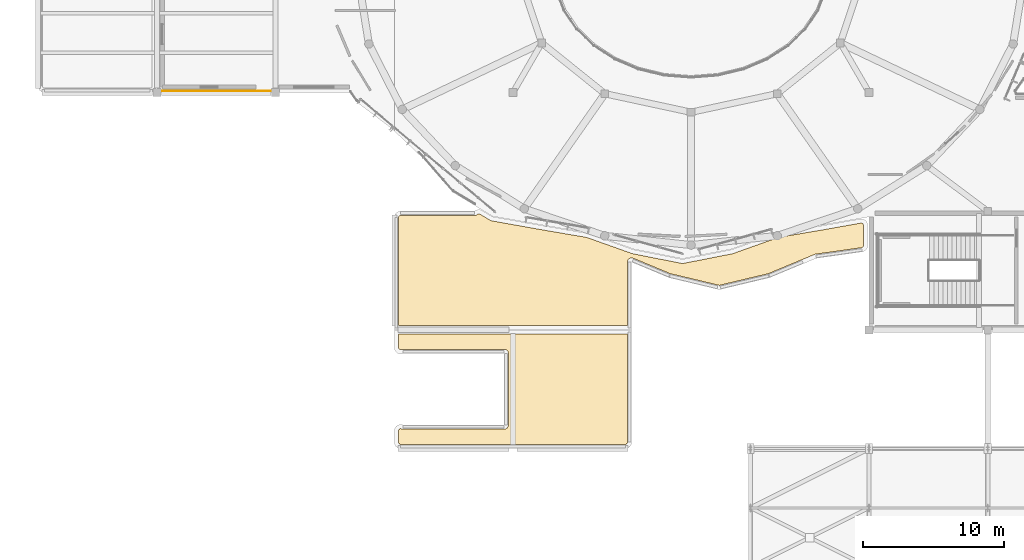
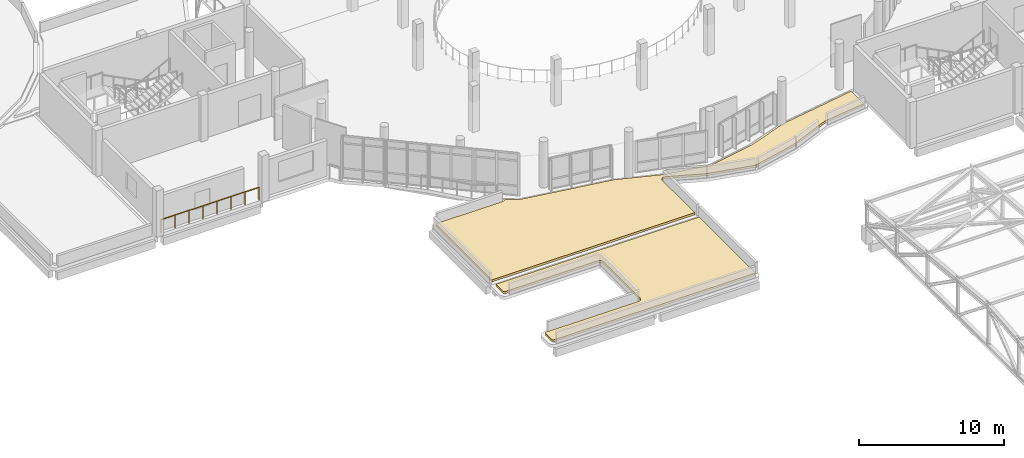
# One storey, part 64 of 74: 2 coverings, 1 railing.
"""IFC4 building model written with IfcOpenShell, lengths in metres."""

from ifc_helpers import new_model, si_unit, derived_unit, direction, frame, origin, origin_2d, place, context, subcontext, project, spatial, polyline, circle, outline, extrude, material, layer, layer_set, type_object, element, save


model = new_model("IFC4")

# Units and contexts
model_context = context("Model", 3, precision=1e-05, world=origin(), true_north=direction((0.0, 1.0)))
body_context = subcontext(model_context, "Body", "Model", "MODEL_VIEW")
ifc_project = project(units=[si_unit("LENGTHUNIT", "METRE"), si_unit("AREAUNIT", "SQUARE_METRE"), si_unit("VOLUMEUNIT", "CUBIC_METRE"), si_unit("PLANEANGLEUNIT", "RADIAN"), si_unit("MASSUNIT", "GRAM", prefix="KILO"), derived_unit("THERMALTRANSMITTANCEUNIT", [(si_unit("POWERUNIT", "WATT"), 1), (si_unit("LENGTHUNIT", "METRE"), -2), (si_unit("THERMODYNAMICTEMPERATUREUNIT", "KELVIN"), -1)])], contexts=[model_context])

# Site, building, storey
site_placement = place(None, origin())
site = spatial("IfcSite", under=ifc_project, at=site_placement, CompositionType="ELEMENT")
building_placement = place(site_placement, origin())
building = spatial("IfcBuilding", under=site, at=building_placement, Name="Elbkamm Science Centre", CompositionType="ELEMENT")
storey_placement = place(building_placement, frame((0.0, 0.0, 14.39990234375)))
storey = spatial("IfcBuildingStorey", under=building, at=storey_placement, Name="L03", CompositionType="ELEMENT", Elevation=14.39990234375)

# Coverings
ifc_material_1 = material(Name="EPDM waterproof roofing membrane and mineral wool insulation")
ifc_layer = layer(ifc_material_1, 0.179931640625)
ifc_layer_set = layer_set([ifc_layer], Name="EPDM waterproof roofing membrane and mineral wool insulation")
covering_type = type_object("IfcCoveringType", Name="COV-ROOFING-180", PredefinedType="ROOFING", material=ifc_layer_set)
covering_1_placement = place(storey_placement, origin())
element("IfcCovering", 1, at=covering_1_placement, inside=storey, type_object=covering_type, Name="L03 Insulated Roof Membrane Covering 13", PredefinedType="ROOFING", context=body_context, shape_type="SweptSolid", body=[
    extrude(outline(polyline([(42.303466796875, 34.88623046875), (42.30712890625, 34.900634765625), (42.3125, 34.914794921875), (42.319091796875, 34.928466796875), (42.326904296875, 34.94140625), (42.336181640625, 34.953369140625), (42.346435546875, 34.96435546875), (42.35791015625, 34.97412109375), (42.3701171875, 34.98291015625), (42.383056640625, 34.989990234375), (42.397216796875, 34.996337890625), (42.411376953125, 35.000732421875), (42.426025390625, 35.00390625), (42.441162109375, 35.005615234375), (42.456298828125, 35.005859375), (42.47119140625, 35.00439453125), (42.48583984375, 35.001708984375), (42.5048828125, 34.995849609375), (42.515380859375, 34.9921875), (42.543212890625, 34.9853515625), (42.571533203125, 34.9814453125), (42.60009765625, 34.97998046875), (49.780029296875, 34.97998046875), (49.809326171875, 34.9814453125), (49.83837890625, 34.98583984375), (49.8671875, 34.992919921875), (49.894775390625, 35.002685546875), (49.92138671875, 35.015380859375), (49.94677734375, 35.030517578125), (49.97021484375, 35.048095703125), (49.9921875, 35.06787109375), (50.011962890625, 35.089599609375), (50.029296875, 35.11328125), (50.044677734375, 35.138671875), (50.05712890625, 35.165283203125), (50.067138671875, 35.19287109375), (50.07421875, 35.221435546875), (50.07861328125, 35.25048828125), (50.080078125, 35.280029296875), (50.080078125, 40.320068359375), (50.07861328125, 40.349365234375), (50.07421875, 40.37841796875), (50.067138671875, 40.406982421875), (50.05712890625, 40.434814453125), (50.044677734375, 40.46142578125), (50.029296875, 40.48681640625), (50.011962890625, 40.51025390625), (49.9921875, 40.531982421875), (49.97021484375, 40.552001953125), (49.94677734375, 40.5693359375), (49.92138671875, 40.584716796875), (49.894775390625, 40.59716796875), (49.8671875, 40.607177734375), (49.83837890625, 40.6142578125), (49.809326171875, 40.61865234375), (49.780029296875, 40.6201171875), (42.60009765625, 40.6201171875), (42.569580078125, 40.618408203125), (42.539794921875, 40.614013671875), (42.51025390625, 40.606201171875), (42.484375, 40.59814453125), (42.47119140625, 40.595703125), (42.456298828125, 40.59423828125), (42.441162109375, 40.594482421875), (42.426025390625, 40.595947265625), (42.411376953125, 40.59912109375), (42.397216796875, 40.603759765625), (42.383056640625, 40.60986328125), (42.3701171875, 40.6171875), (42.35791015625, 40.6259765625), (42.346435546875, 40.6357421875), (42.336181640625, 40.646484375), (42.326904296875, 40.65869140625), (42.319091796875, 40.67138671875), (42.3125, 40.68505859375), (42.30712890625, 40.69921875), (42.303466796875, 40.713623046875), (42.30126953125, 40.728515625), (42.300048828125, 40.751220703125), (42.300048828125, 41.699951171875), (58.5, 41.699951171875), (58.5, 34.0576171875), (58.498779296875, 34.03515625), (58.496826171875, 34.020751953125), (58.493408203125, 34.0068359375), (58.488037109375, 33.99267578125), (58.48193359375, 33.979248046875), (58.474365234375, 33.966796875), (58.4658203125, 33.955078125), (58.455810546875, 33.944091796875), (58.44482421875, 33.93408203125), (58.43310546875, 33.925537109375), (58.420654296875, 33.918212890625), (58.407470703125, 33.911865234375), (58.39306640625, 33.90673828125), (58.379150390625, 33.9033203125), (58.36474609375, 33.901123046875), (58.342529296875, 33.89990234375), (42.45751953125, 33.89990234375), (42.435302734375, 33.901123046875), (42.4208984375, 33.9033203125), (42.406982421875, 33.90673828125), (42.392578125, 33.911865234375), (42.37939453125, 33.918212890625), (42.36669921875, 33.925537109375), (42.35498046875, 33.93408203125), (42.34423828125, 33.944091796875), (42.334228515625, 33.955078125), (42.32568359375, 33.966796875), (42.318115234375, 33.979248046875), (42.31201171875, 33.99267578125), (42.306640625, 34.0068359375), (42.30322265625, 34.020751953125), (42.301025390625, 34.03515625), (42.300048828125, 34.0576171875), (42.300048828125, 34.8486328125), (42.30126953125, 34.871337890625), (42.303466796875, 34.88623046875)])), origin(), (0.0, 0.0, 1.0), 0.18017578125),
])
covering_2_placement = place(storey_placement, origin())
element("IfcCovering", 2, at=covering_2_placement, inside=storey, type_object=covering_type, Name="L03 Insulated Roof Membrane Covering 14", PredefinedType="ROOFING", context=body_context, shape_type="SweptSolid", body=[
    extrude(outline(polyline([(42.300048828125, 49.9423828125), (42.301025390625, 49.96484375), (42.30322265625, 49.979248046875), (42.306640625, 49.9931640625), (42.31201171875, 50.00732421875), (42.318115234375, 50.020751953125), (42.32568359375, 50.033203125), (42.334228515625, 50.044921875), (42.34423828125, 50.055908203125), (42.35498046875, 50.06591796875), (42.36669921875, 50.074462890625), (42.37939453125, 50.081787109375), (42.392578125, 50.088134765625), (42.406982421875, 50.09326171875), (42.4208984375, 50.0966796875), (42.435302734375, 50.098876953125), (42.45751953125, 50.10009765625), (47.6875, 50.10009765625), (47.716796875, 50.101318359375), (47.745849609375, 50.105712890625), (47.7744140625, 50.11279296875), (47.802001953125, 50.122802734375), (47.82861328125, 50.13525390625), (47.853759765625, 50.150390625), (47.87744140625, 50.167724609375), (47.898193359375, 50.184814453125), (47.90869140625, 50.19189453125), (47.92138671875, 50.198486328125), (47.935302734375, 50.2041015625), (47.94921875, 50.2080078125), (47.96337890625, 50.210693359375), (47.977783203125, 50.212158203125), (47.99267578125, 50.2119140625), (48.00732421875, 50.21044921875), (48.021484375, 50.20751953125), (48.03515625, 50.203369140625), (48.048583984375, 50.19775390625), (48.068359375, 50.187255859375), (48.777587890625, 49.76025390625), (48.78076171875, 49.75830078125), (48.794921875, 49.75), (48.797119140625, 49.748779296875), (48.8232421875, 49.736328125), (48.82568359375, 49.735107421875), (48.8544921875, 49.724853515625), (48.857177734375, 49.72412109375), (48.880126953125, 49.7177734375), (48.8828125, 49.71728515625), (48.895263671875, 49.71484375), (48.90087890625, 49.7138671875), (52.320068359375, 49.106201171875), (52.3203125, 49.10595703125), (52.324951171875, 49.105224609375), (55.606689453125, 48.543701171875), (55.6259765625, 48.539794921875), (55.644287109375, 48.533935546875), (58.829345703125, 47.39990234375), (58.8330078125, 47.398681640625), (58.85546875, 47.3916015625), (58.857666015625, 47.39111328125), (58.866943359375, 47.388671875), (58.869140625, 47.38818359375), (58.881103515625, 47.385498046875), (58.885498046875, 47.384521484375), (62.3310546875, 46.707275390625), (62.333251953125, 46.706787109375), (62.338623046875, 46.705810546875), (62.34326171875, 46.705078125), (62.34619140625, 46.70458984375), (62.38671875, 46.7001953125), (62.3896484375, 46.7001953125), (62.410400390625, 46.7001953125), (62.4130859375, 46.7001953125), (62.453857421875, 46.70458984375), (62.456787109375, 46.705078125), (62.4599609375, 46.70556640625), (62.4658203125, 46.70654296875), (62.4697265625, 46.707275390625), (65.9150390625, 47.384765625), (65.9189453125, 47.385498046875), (65.930908203125, 47.38818359375), (65.93310546875, 47.388671875), (65.9423828125, 47.39111328125), (65.944580078125, 47.3916015625), (65.97021484375, 47.39990234375), (65.97265625, 47.400634765625), (67.662841796875, 48.00244140625), (69.155517578125, 48.533935546875), (69.174072265625, 48.539794921875), (69.193359375, 48.543701171875), (72.4736328125, 49.10498046875), (72.4736328125, 49.10498046875), (72.47705078125, 49.10546875), (75.016845703125, 49.556884765625), (75.038330078125, 49.559814453125), (75.052734375, 49.56005859375), (75.0673828125, 49.55908203125), (75.08154296875, 49.556884765625), (75.095458984375, 49.552978515625), (75.109375, 49.5478515625), (75.122314453125, 49.54150390625), (75.134521484375, 49.5341796875), (75.146240234375, 49.525146484375), (75.15673828125, 49.515380859375), (75.16650390625, 49.504638671875), (75.175048828125, 49.49267578125), (75.182373046875, 49.48046875), (75.1884765625, 49.467041015625), (75.193603515625, 49.453125), (75.197021484375, 49.439453125), (75.198974609375, 49.42529296875), (75.199951171875, 49.4033203125), (75.199951171875, 47.969970703125), (75.198974609375, 47.948974609375), (75.197021484375, 47.934814453125), (75.193603515625, 47.920654296875), (75.188720703125, 47.906982421875), (75.182861328125, 47.89404296875), (75.17578125, 47.882080078125), (75.16748046875, 47.870361328125), (75.158203125, 47.859619140625), (75.147705078125, 47.849853515625), (75.136474609375, 47.8408203125), (75.12451171875, 47.833251953125), (75.11181640625, 47.826904296875), (75.0986328125, 47.821533203125), (75.084716796875, 47.8173828125), (75.063720703125, 47.8134765625), (71.818115234375, 47.357177734375), (71.80908203125, 47.35595703125), (71.783447265625, 47.351318359375), (71.75830078125, 47.34423828125), (71.733642578125, 47.335205078125), (71.725341796875, 47.331787109375), (70.83740234375, 46.9619140625), (68.487060546875, 45.983154296875), (68.47021484375, 45.976806640625), (68.45263671875, 45.971923828125), (65.041748046875, 45.158447265625), (65.02099609375, 45.154296875), (65.0068359375, 45.153076171875), (64.9931640625, 45.153076171875), (64.97900390625, 45.154296875), (64.9580078125, 45.158447265625), (64.909912109375, 45.169921875), (61.54736328125, 45.971923828125), (61.52978515625, 45.976806640625), (61.512939453125, 45.983154296875), (58.938232421875, 47.055419921875), (58.92578125, 47.060791015625), (58.92431640625, 47.061279296875), (58.914306640625, 47.0654296875), (58.886474609375, 47.0751953125), (58.85791015625, 47.082275390625), (58.828857421875, 47.086669921875), (58.799560546875, 47.087890625), (58.77001953125, 47.08642578125), (58.740966796875, 47.08203125), (58.71240234375, 47.074951171875), (58.684814453125, 47.06494140625), (58.658203125, 47.052490234375), (58.633056640625, 47.037353515625), (58.609619140625, 47.019775390625), (58.587646484375, 47.0), (58.568115234375, 46.97802734375), (58.550537109375, 46.95458984375), (58.535400390625, 46.92919921875), (58.522705078125, 46.902587890625), (58.512939453125, 46.875), (58.505859375, 46.846435546875), (58.50146484375, 46.8173828125), (58.5, 46.7880859375), (58.5, 42.300048828125), (42.300048828125, 42.300048828125), (42.300048828125, 49.9423828125)])), origin(), (0.0, 0.0, 1.0), 0.18017578125),
])

# Railing
ifc_material_2 = material(Name="Stainless steel EN 1.4401", Category="steel")
railing_type = type_object("IfcRailingType", Name="RAIL-EXT-GUARD-1100", PredefinedType="GUARDRAIL", material=ifc_material_2)
railing_placement = place(storey_placement, frame((33.320068359375, 58.89990234375, 0.0)))
element("IfcRailing", 3, at=railing_placement, inside=storey, type_object=railing_type, Name="L03 Slab Edge Perimeter Guard 094", PredefinedType="GUARDRAIL", context=body_context, shape_type="SweptSolid", body=[
    extrude(circle(Radius=0.02392578125, at=origin_2d()), frame((0.0, 0.0, 1.078125), z_axis=(-1.0, 0.0, 0.0), x_axis=(0.0, -1.0, 0.0)), (0.0, 0.0, 1.0), 7.840087890625),
    extrude(circle(Radius=0.02001953125, at=origin_2d()), origin(), (0.0, 0.0, 1.0), 1.048095703125),
    extrude(circle(Radius=0.02001953125, at=origin_2d()), frame((-1.1201171875, 0.0, 0.0)), (0.0, 0.0, 1.0), 1.048095703125),
    extrude(circle(Radius=0.02001953125, at=origin_2d()), frame((-2.239990234375, 0.0, 0.0)), (0.0, 0.0, 1.0), 1.048095703125),
    extrude(circle(Radius=0.02001953125, at=origin_2d()), frame((-3.360107421875, 0.0, 0.0)), (0.0, 0.0, 1.0), 1.048095703125),
    extrude(circle(Radius=0.02001953125, at=origin_2d()), frame((-4.47998046875, 0.0, 0.0)), (0.0, 0.0, 1.0), 1.048095703125),
    extrude(circle(Radius=0.02001953125, at=origin_2d()), frame((-5.60009765625, 0.0, 0.0)), (0.0, 0.0, 1.0), 1.048095703125),
    extrude(circle(Radius=0.02001953125, at=origin_2d()), frame((-6.719970703125, 0.0, 0.0)), (0.0, 0.0, 1.0), 1.048095703125),
    extrude(circle(Radius=0.02001953125, at=origin_2d()), frame((-7.840087890625, 0.0, 0.0)), (0.0, 0.0, 1.0), 1.048095703125),
])

save(model, "model.ifc")
